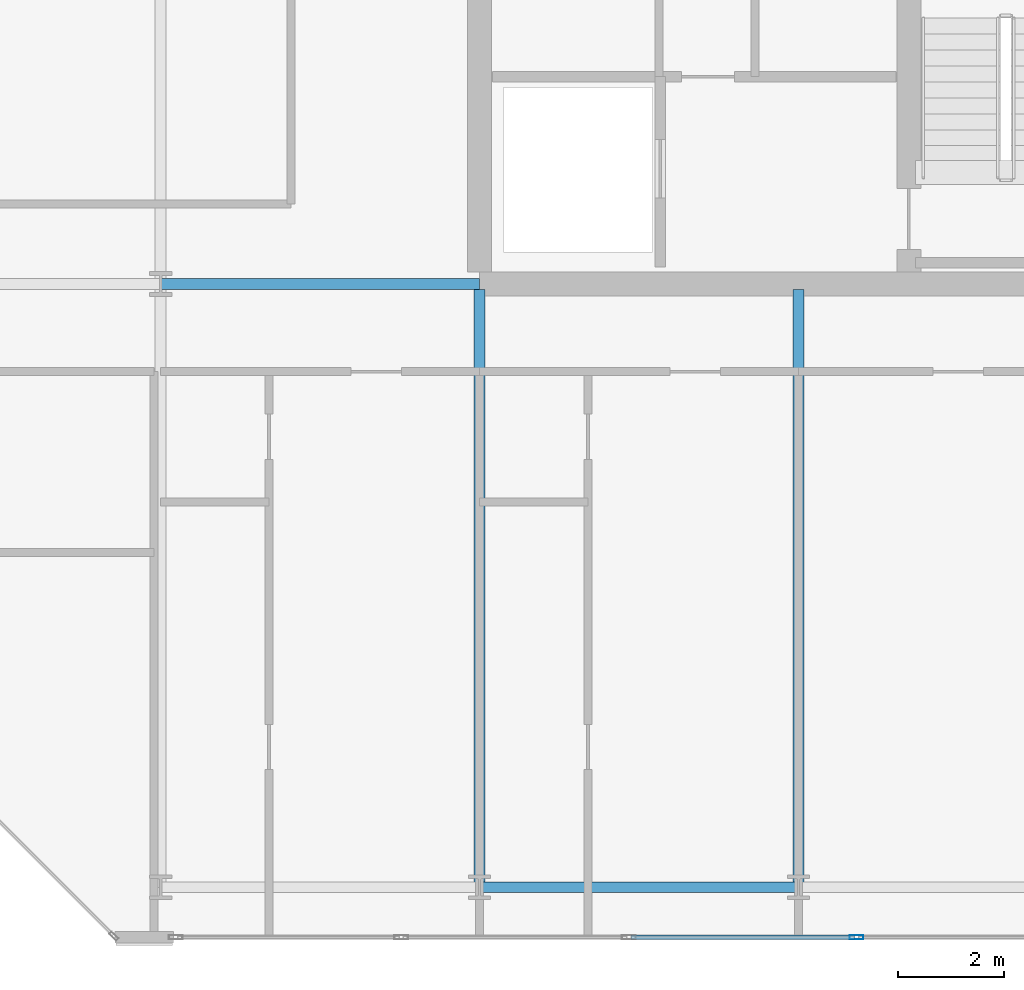
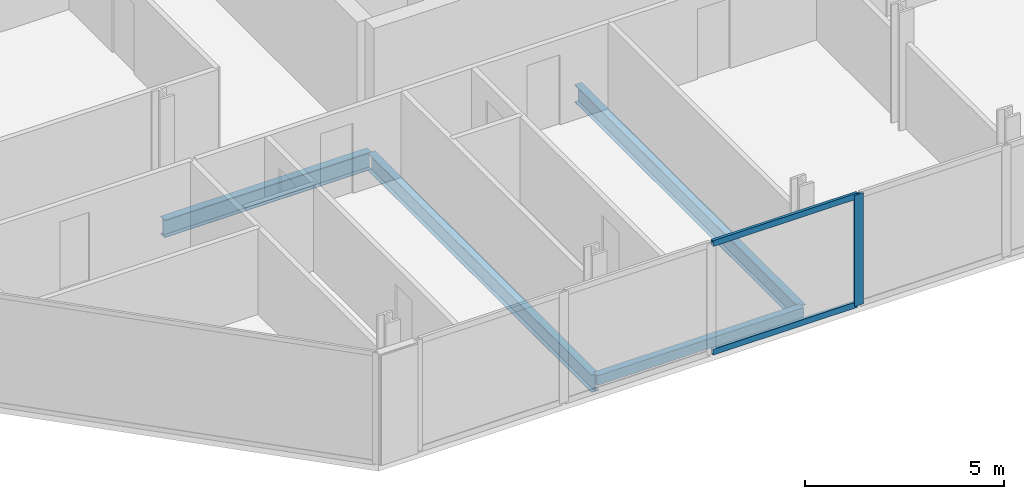
# One storey, part 5 of 19: 4 beams, 3 members, 1 element without a shape of its own.
"""IFC4 building model written with IfcOpenShell, lengths in metres."""

from ifc_helpers import new_model, si_unit, direction, frame, origin, origin_2d, place, context, subcontext, project, spatial, hollow_rectangle, i_section, extrude, material, layer, layer_set, material_profile, profile_set, type_object, element, aggregate, save


model = new_model("IFC4")

# Units and contexts
model_context = context("Model", 3, precision=1e-05, world=origin(), true_north=direction((0.0, 1.0)))
body_context = subcontext(model_context, "Body", "Model", "MODEL_VIEW")
ifc_project = project(units=[si_unit("LENGTHUNIT", "METRE"), si_unit("AREAUNIT", "SQUARE_METRE"), si_unit("VOLUMEUNIT", "CUBIC_METRE"), si_unit("PLANEANGLEUNIT", "RADIAN"), si_unit("MASSUNIT", "GRAM", prefix="KILO")], contexts=[model_context])

# Site, building, storey
site_placement = place(None, origin())
site = spatial("IfcSite", under=ifc_project, at=site_placement, CompositionType="ELEMENT")
building_placement = place(site_placement, origin())
building = spatial("IfcBuilding", under=site, at=building_placement, Name="Tanjung Sevakor Pilgrim Tower", CompositionType="ELEMENT")
storey_placement = place(building_placement, frame((0.0, 0.0, 260.699951171875)))
storey = spatial("IfcBuildingStorey", under=building, at=storey_placement, Name="L73", CompositionType="ELEMENT", Elevation=260.699951171875)

# Beams
ifc_material_1 = material(Name="Steel S355J2", Category="steel")
ifc_material_profile_1 = material_profile(ifc_material_1, i_section(OverallWidth=0.2119140625, OverallDepth=0.54443359375, WebThickness=0.0126953125, FlangeThickness=0.021240234375, FilletRadius=0.0126953125, at=origin_2d()))
ifc_profile_set_1 = profile_set([ifc_material_profile_1], Name="Steel S355J2")
beam_type_1 = type_object("IfcBeamType", Name="BM-B-G5-UB_533x210x122", PredefinedType="BEAM", material=ifc_profile_set_1)
beam_1_placement = place(storey_placement, frame((72.0, 24.60009765625, -0.4921875), z_axis=(1.0, 0.0, 0.0), x_axis=(0.0, 1.0, 0.0)))
element("IfcBeam", 1, at=beam_1_placement, inside=storey, type_object=beam_type_1, Name="L73 Primary Floor Girder EAST Y246-02", PredefinedType="BEAM", context=body_context, shape_type="SweptSolid", body=[
    extrude(i_section(OverallWidth=0.2119140625, OverallDepth=0.54443359375, WebThickness=0.0126953125, FlangeThickness=0.021240234375, FilletRadius=0.0126953125, at=origin_2d()), origin(), (0.0, 0.0, 1.0), 6.0),
])
ifc_material_2 = material(Name="Steel S355J2", Category="steel")
ifc_material_profile_2 = material_profile(ifc_material_2, i_section(OverallWidth=0.210693359375, OverallDepth=0.53955078125, WebThickness=0.01171875, FlangeThickness=0.018798828125, FilletRadius=0.0126953125, at=origin_2d()))
ifc_profile_set_2 = profile_set([ifc_material_profile_2], Name="Steel S355J2")
beam_type_2 = type_object("IfcBeamType", Name="BM-B-G6-UB_533x210x109", PredefinedType="BEAM", material=ifc_profile_set_2)
for number, where, z_axis, x_axis, name in (
    (2, (78.0, 13.25, -0.48974609375), (0.0, 1.0, 0.0), (-1.0, 0.0, 0.0), "L73 EAST Girder 005"),
    (3, (84.0, 13.25, -0.48974609375), (0.0, 1.0, 0.0), (-1.0, 0.0, 0.0), "L73 EAST Girder 007"),
):
    element("IfcBeam", number, at=place(storey_placement, frame(where, z_axis=z_axis, x_axis=x_axis)), inside=storey, type_object=beam_type_2, Name=name, PredefinedType="BEAM", context=body_context, shape_type="SweptSolid", body=[
        extrude(i_section(OverallWidth=0.210693359375, OverallDepth=0.53955078125, WebThickness=0.01171875, FlangeThickness=0.018798828125, FilletRadius=0.0126953125, at=origin_2d()), origin(), (0.0, 0.0, 1.0), 11.243896484375),
    ])
ifc_material_3 = material(Name="Steel S355J2", Category="steel")
ifc_material_profile_3 = material_profile(ifc_material_3, hollow_rectangle(XDim=0.199951171875, YDim=0.300048828125, WallThickness=0.012451171875, at=origin_2d()))
ifc_profile_set_3 = profile_set([ifc_material_profile_3], Name="Steel S355J2")
beam_type_3 = type_object("IfcBeamType", Name="BM-B-SP3-RHS_300x200x12.5", PredefinedType="SPANDREL", material=ifc_profile_set_3)
beam_2_placement = place(storey_placement, frame((78.0, 13.25, -0.369873046875), z_axis=(1.0, 0.0, 0.0), x_axis=(0.0, 1.0, 0.0)))
element("IfcBeam", 4, at=beam_2_placement, inside=storey, type_object=beam_type_3, Name="L73 Spandrel EAST S-03", PredefinedType="SPANDREL", context=body_context, shape_type="SweptSolid", body=[
    extrude(hollow_rectangle(XDim=0.199951171875, YDim=0.300048828125, WallThickness=0.012451171875, at=origin_2d()), origin(), (0.0, 0.0, 1.0), 6.0),
])

# Curtain wall, members
ifc_material_4 = material(Name="Aluminium 6063-T6 and Low-E Glass", Category="aluminium")
ifc_layer = layer(ifc_material_4, 0.219970703125)
ifc_layer_set = layer_set([ifc_layer], Name="CW-SYS-CRNE")
curtain_wall_type = type_object("IfcCurtainWallType", Name="CW-SYS-CRNE", PredefinedType="NOTDEFINED", material=ifc_layer_set)
curtain_wall_placement = place(storey_placement, origin())
curtain_wall = element("IfcCurtainWall", 5, at=curtain_wall_placement, inside=storey, type_object=curtain_wall_type, Name="L73 Curtain Wall CW-CRN-L73-EAST-0-1", PredefinedType="NOTDEFINED")
ifc_material_5 = material(Name="Aluminium 6063-T6", Category="aluminium")
ifc_material_profile_4 = material_profile(ifc_material_5, hollow_rectangle(XDim=0.080078125, YDim=0.260009765625, WallThickness=0.0048828125, at=origin_2d()))
ifc_profile_set_4 = profile_set([ifc_material_profile_4], Name="Aluminium 6063-T6")
member_type_1 = type_object("IfcMemberType", Name="TYPE-CWM-3", PredefinedType="MULLION", material=ifc_profile_set_4)
member_1_placement = place(storey_placement, frame((85.0908203125, 12.31005859375, 0.0), z_axis=(0.0, 0.0, 1.0), x_axis=(0.0, 1.0, 0.0)))
member_1 = element("IfcMember", 6, at=member_1_placement, type_object=member_type_1, Name="CW-CRE mullion 4", PredefinedType="MULLION", context=body_context, shape_type="SweptSolid", body=[
    extrude(hollow_rectangle(XDim=0.080078125, YDim=0.260009765625, WallThickness=0.0048828125, at=origin_2d()), origin(), (0.0, 0.0, 1.0), 3.41015625),
])
ifc_material_6 = material(Name="Aluminium 6063-T6", Category="aluminium")
ifc_material_profile_5 = material_profile(ifc_material_6, hollow_rectangle(XDim=0.080078125, YDim=0.179931640625, WallThickness=0.0048828125, at=origin_2d()))
ifc_profile_set_5 = profile_set([ifc_material_profile_5], Name="Aluminium 6063-T6")
member_type_2 = type_object("IfcMemberType", Name="TYPE-CWT-3", PredefinedType="USERDEFINED", material=ifc_profile_set_5)
member_2_placement = place(storey_placement, frame((80.84912109375, 12.31005859375, 0.0400390625), z_axis=(1.0, 0.0, 0.0), x_axis=(0.0, 1.0, 0.0)))
member_2 = element("IfcMember", 7, at=member_2_placement, type_object=member_type_2, Name="CW-CRE transom 3.1", ObjectType="TRANSOM", PredefinedType="USERDEFINED", context=body_context, shape_type="SweptSolid", body=[
    extrude(hollow_rectangle(XDim=0.080078125, YDim=0.179931640625, WallThickness=0.0048828125, at=origin_2d()), origin(), (0.0, 0.0, 1.0), 4.20166015625),
])
member_3_placement = place(storey_placement, frame((80.84912109375, 12.31005859375, 3.3701171875), z_axis=(1.0, 0.0, 0.0), x_axis=(0.0, 1.0, 0.0)))
member_3 = element("IfcMember", 8, at=member_3_placement, type_object=member_type_2, Name="CW-CRE transom 3.2", ObjectType="TRANSOM", PredefinedType="USERDEFINED", context=body_context, shape_type="SweptSolid", body=[
    extrude(hollow_rectangle(XDim=0.080078125, YDim=0.179931640625, WallThickness=0.0048828125, at=origin_2d()), origin(), (0.0, 0.0, 1.0), 4.20166015625),
])
aggregate(curtain_wall, [member_1, member_2, member_3])

save(model, "model.ifc")
